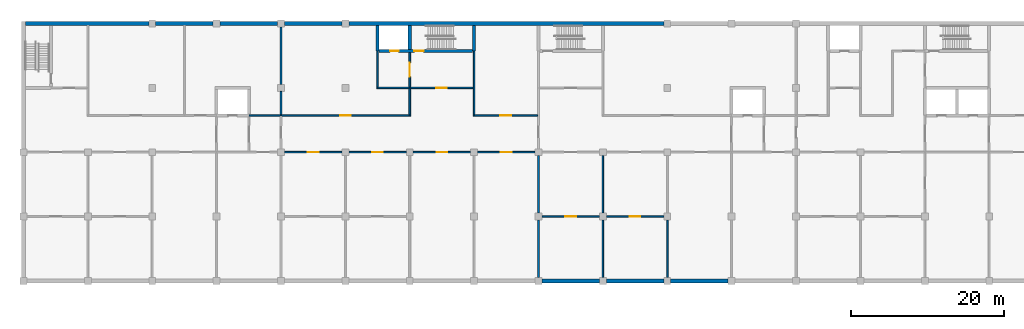
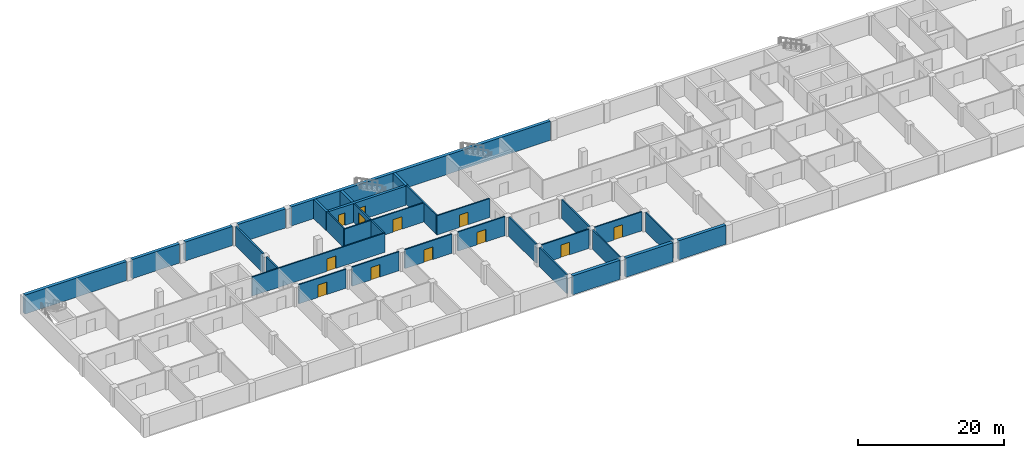
# One storey, part 3 of 12: 32 walls, 12 doors, 12 openings.
"""IFC4 building model written with IfcOpenShell, lengths in metres."""

import ifcopenshell
import ifcopenshell.guid

model = None  # the IFC model being written
_history = None  # IfcOwnerHistory: only IFC2X3 demands one
_inside = {}  # id of a spatial element -> (the spatial element, [elements in it])
_under = {}  # id of a project, library or spatial element -> (it, [spatial elements below it])
_declared = {}  # id of a project -> (the project, [libraries it declares])
_typed = {}  # id of a type object -> (the type object, [elements of that type])
_made_of = {}  # id of a material, layer set ... -> (it, [elements and type objects made of it])


def new_model(schema):
    """Start an empty IFC model of exactly this schema.

    Asked for "IFC4X3", IfcOpenShell would pick the latest addendum, in which some entities
    have other attributes; the version numbers below select the first issue.
    IFC2X3 requires an IfcOwnerHistory on every rooted entity: one is made here for all.
    """
    global model, _history
    if schema == "IFC4X3":
        model = ifcopenshell.file(schema_version=(4, 3, 0, 0))
    else:
        model = ifcopenshell.file(schema=schema)
    _inside.clear()
    _under.clear()
    _declared.clear()
    _typed.clear()
    _made_of.clear()
    _history = None
    if model.schema == "IFC2X3":
        org = make("IfcOrganization", Name="unknown")
        user = make(
            "IfcPersonAndOrganization",
            ThePerson=make("IfcPerson", FamilyName="unknown"),
            TheOrganization=org,
        )
        app = make(
            "IfcApplication",
            ApplicationDeveloper=org,
            Version="unknown",
            ApplicationFullName="unknown",
            ApplicationIdentifier="unknown",
        )
        _history = make(
            "IfcOwnerHistory",
            OwningUser=user,
            OwningApplication=app,
            ChangeAction="ADDED",
            CreationDate=0,
        )
    return model


def make(cls, **values):
    """One entity of the class cls with the attributes given. An attribute that is None is left unset."""
    return model.create_entity(
        cls, **{name: value for name, value in values.items() if value is not None}
    )


def rooted(cls, **values):
    """An entity with a GlobalId (a new one), such as an element, a storey or a relation."""
    return make(cls, GlobalId=ifcopenshell.guid.new(), OwnerHistory=_history, **values)


def si_unit(unit_type, name, prefix=None):
    """IfcSIUnit, for example si_unit("LENGTHUNIT", "METRE", prefix="MILLI")."""
    return make("IfcSIUnit", UnitType=unit_type, Prefix=prefix, Name=name)


def assignment(units):
    """IfcUnitAssignment: the units of a project."""
    return None if units is None else make("IfcUnitAssignment", Units=units)


def point(xyz):
    """IfcCartesianPoint."""
    return None if xyz is None else make("IfcCartesianPoint", Coordinates=xyz)


def direction(xyz):
    """IfcDirection."""
    return None if xyz is None else make("IfcDirection", DirectionRatios=xyz)


def frame(location, z_axis=None, x_axis=None):
    """IfcAxis2Placement3D, a coordinate frame: its origin and axes. An axis left out is left unset."""
    return make(
        "IfcAxis2Placement3D",
        Location=point(location),
        Axis=direction(z_axis),
        RefDirection=direction(x_axis),
    )


def frame_2d(location, x_axis=None):
    """IfcAxis2Placement2D, a coordinate frame in the plane: its origin and x axis."""
    return make(
        "IfcAxis2Placement2D", Location=point(location), RefDirection=direction(x_axis)
    )


def origin():
    """The frame at (0, 0, 0) with its axes left unset."""
    return frame((0.0, 0.0, 0.0))


def place(relative_to, where):
    """IfcLocalPlacement: puts the frame where relative to a parent placement (None: the world)."""
    return make(
        "IfcLocalPlacement", PlacementRelTo=relative_to, RelativePlacement=where
    )


def context(
    kind, dimensions, precision=None, world=None, true_north=None, identifier=None
):
    """IfcGeometricRepresentationContext, for example the 3D "Model" context."""
    return make(
        "IfcGeometricRepresentationContext",
        ContextIdentifier=identifier,
        ContextType=kind,
        CoordinateSpaceDimension=dimensions,
        Precision=precision,
        WorldCoordinateSystem=world,
        TrueNorth=true_north,
    )


def subcontext(parent, identifier, kind, view, scale=None):
    """IfcGeometricRepresentationSubContext, for example "Body" below "Model"."""
    return make(
        "IfcGeometricRepresentationSubContext",
        ContextIdentifier=identifier,
        ContextType=kind,
        ParentContext=parent,
        TargetScale=scale,
        TargetView=view,
    )


def project(units=None, contexts=None):
    """IfcProject with its units and contexts."""
    return rooted(
        "IfcProject",
        Name="project",
        RepresentationContexts=contexts,
        UnitsInContext=assignment(units),
    )


def spatial(cls, under=None, at=None, **own):
    """A site, building, storey or space (cls), placed at a placement, below another one or the project."""
    s = rooted(cls, ObjectPlacement=at, **own)
    if under is not None:
        _under.setdefault(under.id(), (under, []))[1].append(s)
    return s


def profile(cls, at=None, kind="AREA", **sizes):
    """A parametric profile (cls). Its sizes go by their IFC names, for example OverallWidth=200.0."""
    return make(cls, ProfileType=kind, Position=at, **sizes)


def rectangle(**sizes):
    """IfcRectangleProfileDef."""
    return profile("IfcRectangleProfileDef", **sizes)


def extrude(swept, where, along, depth):
    """IfcExtrudedAreaSolid: the profile swept, set in the frame where, extruded along a direction by depth."""
    return make(
        "IfcExtrudedAreaSolid",
        SweptArea=swept,
        Position=where,
        ExtrudedDirection=direction(along),
        Depth=depth,
    )


def shape(context_of_items, identifier, shape_type, items):
    """IfcShapeRepresentation: the items that make up one representation, for example the "Body"."""
    return make(
        "IfcShapeRepresentation",
        ContextOfItems=context_of_items,
        RepresentationIdentifier=identifier,
        RepresentationType=shape_type,
        Items=items,
    )


def material(Name=None, Category=None):
    """IfcMaterial."""
    return make("IfcMaterial", Name=Name, Category=Category)


def layer(
    of_material, thickness, ventilated=None, Name=None, Category=None, Priority=None
):
    """IfcMaterialLayer: one layer of a wall or slab, of a material (None: an air gap)."""
    return make(
        "IfcMaterialLayer",
        Material=of_material,
        LayerThickness=thickness,
        IsVentilated=ventilated,
        Name=Name,
        Category=Category,
        Priority=Priority,
    )


def layer_set(layers, Name=None):
    """IfcMaterialLayerSet."""
    return make("IfcMaterialLayerSet", MaterialLayers=layers, LayerSetName=Name)


def made_of(thing, what):
    """Note that an element or type object is made of a material, layer set ...; save() writes the relation."""
    if what is not None:
        _made_of.setdefault(what.id(), (what, []))[1].append(thing)
    return thing


def type_object(cls, material=None, **own):
    """A type object (cls), such as IfcWallType, which elements share."""
    return made_of(rooted(cls, **own), material)


def element(
    cls,
    number,
    at=None,
    inside=None,
    cuts=None,
    type_object=None,
    material=None,
    context=None,
    identifier="Body",
    shape_type=None,
    held_by="IfcProductDefinitionShape",
    body=None,
    shapes=None,
    **own,
):
    """One element of the class cls, such as IfcWall. Its Tag is "e" and its number.

    at: its placement. inside: the storey or other place that contains it. cuts: it is an
    opening in that element (IfcRelVoidsElement). A single representation is given by context,
    identifier, shape_type and body (its items); several are given by shapes. held_by: the class
    of the entity that holds the representations. save() writes the other relations.
    """
    e = rooted(cls, Tag="e%d" % number, ObjectPlacement=at, **own)
    if body is not None:
        shapes = [shape(context, identifier, shape_type, body)]
    if shapes is not None:
        e.Representation = make(held_by, Representations=shapes)
    if inside is not None:
        _inside.setdefault(inside.id(), (inside, []))[1].append(e)
    if cuts is not None:
        rooted(
            "IfcRelVoidsElement", RelatingBuildingElement=cuts, RelatedOpeningElement=e
        )
    if type_object is not None:
        _typed.setdefault(type_object.id(), (type_object, []))[1].append(e)
    return made_of(e, material)


def fill(opening, filler):
    """IfcRelFillsElement: the door or window that sits in an opening."""
    return rooted(
        "IfcRelFillsElement",
        RelatingOpeningElement=opening,
        RelatedBuildingElement=filler,
    )


def aggregate(whole, parts):
    """IfcRelAggregates: a whole, such as a stair, and the parts it consists of."""
    return rooted("IfcRelAggregates", RelatingObject=whole, RelatedObjects=parts)


def save(model, path):
    """Write the relations noted so far, then the file.

    IfcRelAggregates (storeys below a building ...), IfcRelContainedInSpatialStructure (elements
    in a storey), IfcRelDefinesByType, IfcRelAssociatesMaterial and IfcRelDeclares: one each for
    every whole, place, type object, material and project.
    """
    for whole, parts in _under.values():
        aggregate(whole, parts)
    for where, things in _inside.values():
        rooted(
            "IfcRelContainedInSpatialStructure",
            RelatedElements=things,
            RelatingStructure=where,
        )
    for kind, things in _typed.values():
        rooted("IfcRelDefinesByType", RelatedObjects=things, RelatingType=kind)
    for what, things in _made_of.values():
        rooted("IfcRelAssociatesMaterial", RelatedObjects=things, RelatingMaterial=what)
    for by, libraries in _declared.values():
        rooted("IfcRelDeclares", RelatingContext=by, RelatedDefinitions=libraries)
    model.write(path)


model = new_model("IFC4")

# Units and contexts
model_context = context("Model", 3, precision=1e-05, world=origin(), true_north=direction((0.0, 1.0)))
body_context = subcontext(model_context, "Body", "Model", "MODEL_VIEW")
ifc_project = project(units=[si_unit("LENGTHUNIT", "METRE"), si_unit("AREAUNIT", "SQUARE_METRE"), si_unit("VOLUMEUNIT", "CUBIC_METRE"), si_unit("PLANEANGLEUNIT", "RADIAN"), si_unit("MASSUNIT", "GRAM", prefix="KILO")], contexts=[model_context])

# Site, building, storey
site_placement = place(None, origin())
site = spatial("IfcSite", under=ifc_project, at=site_placement, CompositionType="ELEMENT")
building_placement = place(site_placement, origin())
building = spatial("IfcBuilding", under=site, at=building_placement, Name="Yavir Park General Hospital", CompositionType="ELEMENT")
storey_placement = place(building_placement, frame((0.0, 0.0, -11.39990234375)))
storey = spatial("IfcBuildingStorey", under=building, at=storey_placement, Name="B3", CompositionType="ELEMENT", Elevation=-11.39990234375)

# Walls
ifc_material_1 = material(Name="Concrete C30/37", Category="concrete")
ifc_layer_1 = layer(ifc_material_1, 0.25)
ifc_layer_set_1 = layer_set([ifc_layer_1], Name="Concrete C30/37")
wall_type_1 = type_object("IfcWallType", Name="Compartment fire wall 250, REI 150", PredefinedType="SOLIDWALL", material=ifc_layer_set_1)
wall_1_placement = place(storey_placement, frame((33.60009765625, 21.699951171875, 0.0), z_axis=(0.0, 0.0, 1.0), x_axis=(0.0, 1.0, 0.0)))
element("IfcWall", 1, at=wall_1_placement, inside=storey, type_object=wall_type_1, Name="FW25 B3-071", PredefinedType="SOLIDWALL", context=body_context, shape_type="SweptSolid", body=[
    extrude(rectangle(XDim=3.050048828125, YDim=0.25, at=frame_2d((1.52490234375, 0.0))), origin(), (0.0, 0.0, 1.0), 3.199951171875),
])
for number, where, z_axis, x_axis, name in (
    (2, (33.60009765625, 25.64990234375, 0.0), (0.0, 0.0, 1.0), (0.0, 1.0, 0.0), "FW25 B3-072"),
    (3, (67.199951171875, 0.449951171875, 0.0), (0.0, 0.0, 1.0), (0.0, 1.0, 0.0), "FW25 B3-086"),
    (4, (67.199951171875, 8.85009765625, 0.0), (0.0, 0.0, 1.0), (0.0, 1.0, 0.0), "FW25 B3-087"),
):
    element("IfcWall", number, at=place(storey_placement, frame(where, z_axis=z_axis, x_axis=x_axis)), inside=storey, type_object=wall_type_1, Name=name, PredefinedType="SOLIDWALL", context=body_context, shape_type="SweptSolid", body=[
        extrude(rectangle(XDim=7.5, YDim=0.25, at=frame_2d((3.75, 0.0))), origin(), (0.0, 0.0, 1.0), 3.199951171875),
    ])

# Wall, opening, door
ifc_material_2 = material(Name="Double gypsum board fire partition on steel studs", Category="steel")
ifc_layer_2 = layer(ifc_material_2, 0.199951171875)
ifc_layer_set_2 = layer_set([ifc_layer_2], Name="Double gypsum board fire partition on steel studs")
wall_type_2 = type_object("IfcWallType", Name="Fire-rated partition 200, EI 60", PredefinedType="PARTITIONING", material=ifc_layer_set_2)
wall_2_placement = place(storey_placement, frame((67.64990234375, 8.39990234375, 0.0), z_axis=(0.0, 0.0, 1.0), x_axis=(1.0, 0.0, 0.0)))
wall_2 = element("IfcWall", 5, at=wall_2_placement, inside=storey, type_object=wall_type_2, Name="FP20 B3-005", PredefinedType="PARTITIONING", context=body_context, shape_type="SweptSolid", body=[
    extrude(rectangle(XDim=7.5, YDim=0.199951171875, at=frame_2d((3.75, 0.0))), origin(), (0.0, 0.0, 1.0), 3.199951171875),
])
opening_1_placement = place(wall_2_placement, frame((3.050048828125, 0.0, 0.0)))
opening_1 = element("IfcOpeningElement", 6, at=opening_1_placement, cuts=wall_2, Name="Opening B3.D005", PredefinedType="OPENING", context=body_context, shape_type="SweptSolid", body=[
    extrude(rectangle(XDim=1.39990234375, YDim=2.10009765625, at=frame_2d((0.699951171875, 1.050048828125))), frame((0.0, 0.10986328125, 0.0), z_axis=(0.0, -1.0, 0.0), x_axis=(1.0, 0.0, 0.0)), (0.0, 0.0, 1.0), 0.219970703125),
])
ifc_material_3 = material(Name="Steel frame, fire-resisting timber leaves", Category="steel")
door_type_1 = type_object("IfcDoorType", Name="Double fire door 1400 x 2100, EI 60", OperationType="DOUBLE_DOOR_SINGLE_SWING", PredefinedType="DOOR", material=ifc_material_3)
door_1_placement = place(opening_1_placement, origin())
door_1 = element("IfcDoor", 7, at=door_1_placement, inside=storey, type_object=door_type_1, Name="B3.D005", OperationType="SINGLE_SWING_LEFT", OverallHeight=2.10009765625, OverallWidth=1.39990234375, PredefinedType="DOOR", context=body_context, shape_type="SweptSolid", body=[
    extrude(rectangle(XDim=1.39990234375, YDim=2.10009765625, at=frame_2d((0.699951171875, 1.050048828125))), frame((0.0, 0.02490234375, 0.0), z_axis=(0.0, -1.0, 0.0), x_axis=(1.0, 0.0, 0.0)), (0.0, 0.0, 1.0), 0.050048828125),
])
fill(opening_1, door_1)

wall_3_placement = place(storey_placement, frame((76.050048828125, 8.39990234375, 0.0), z_axis=(0.0, 0.0, 1.0), x_axis=(1.0, 0.0, 0.0)))
wall_3 = element("IfcWall", 8, at=wall_3_placement, inside=storey, type_object=wall_type_2, Name="FP20 B3-006", PredefinedType="PARTITIONING", context=body_context, shape_type="SweptSolid", body=[
    extrude(rectangle(XDim=7.5, YDim=0.199951171875, at=frame_2d((3.75, 0.0))), origin(), (0.0, 0.0, 1.0), 3.199951171875),
])
opening_2_placement = place(wall_3_placement, frame((3.050048828125, 0.0, 0.0)))
opening_2 = element("IfcOpeningElement", 9, at=opening_2_placement, cuts=wall_3, Name="Opening B3.D006", PredefinedType="OPENING", context=body_context, shape_type="SweptSolid", body=[
    extrude(rectangle(XDim=1.39990234375, YDim=2.10009765625, at=frame_2d((0.699951171875, 1.050048828125))), frame((0.0, 0.10986328125, 0.0), z_axis=(0.0, -1.0, 0.0), x_axis=(1.0, 0.0, 0.0)), (0.0, 0.0, 1.0), 0.219970703125),
])
door_2_placement = place(opening_2_placement, origin())
door_2 = element("IfcDoor", 10, at=door_2_placement, inside=storey, type_object=door_type_1, Name="B3.D006", OperationType="SINGLE_SWING_LEFT", OverallHeight=2.10009765625, OverallWidth=1.39990234375, PredefinedType="DOOR", context=body_context, shape_type="SweptSolid", body=[
    extrude(rectangle(XDim=1.39990234375, YDim=2.10009765625, at=frame_2d((0.699951171875, 1.050048828125))), frame((0.0, 0.02490234375, 0.0), z_axis=(0.0, -1.0, 0.0), x_axis=(1.0, 0.0, 0.0)), (0.0, 0.0, 1.0), 0.050048828125),
])
fill(opening_2, door_2)

wall_4_placement = place(storey_placement, frame((34.050048828125, 16.800048828125, 0.0), z_axis=(0.0, 0.0, 1.0), x_axis=(1.0, 0.0, 0.0)))
wall_4 = element("IfcWall", 11, at=wall_4_placement, inside=storey, type_object=wall_type_2, Name="FP20 B3-014", PredefinedType="PARTITIONING", context=body_context, shape_type="SweptSolid", body=[
    extrude(rectangle(XDim=7.5, YDim=0.199951171875, at=frame_2d((3.75, 0.0))), origin(), (0.0, 0.0, 1.0), 3.199951171875),
])
opening_3_placement = place(wall_4_placement, frame((3.050048828125, 0.0, 0.0)))
opening_3 = element("IfcOpeningElement", 12, at=opening_3_placement, cuts=wall_4, Name="Opening B3.D015", PredefinedType="OPENING", context=body_context, shape_type="SweptSolid", body=[
    extrude(rectangle(XDim=1.39990234375, YDim=2.10009765625, at=frame_2d((0.699951171875, 1.050048828125))), frame((0.0, 0.10986328125, 0.0), z_axis=(0.0, -1.0, 0.0), x_axis=(1.0, 0.0, 0.0)), (0.0, 0.0, 1.0), 0.219970703125),
])
door_3_placement = place(opening_3_placement, origin())
door_3 = element("IfcDoor", 13, at=door_3_placement, inside=storey, type_object=door_type_1, Name="B3.D015", OperationType="SINGLE_SWING_LEFT", OverallHeight=2.10009765625, OverallWidth=1.39990234375, PredefinedType="DOOR", context=body_context, shape_type="SweptSolid", body=[
    extrude(rectangle(XDim=1.39990234375, YDim=2.10009765625, at=frame_2d((0.699951171875, 1.050048828125))), frame((0.0, 0.02490234375, 0.0), z_axis=(0.0, -1.0, 0.0), x_axis=(1.0, 0.0, 0.0)), (0.0, 0.0, 1.0), 0.050048828125),
])
fill(opening_3, door_3)

wall_5_placement = place(storey_placement, frame((42.449951171875, 16.800048828125, 0.0), z_axis=(0.0, 0.0, 1.0), x_axis=(1.0, 0.0, 0.0)))
wall_5 = element("IfcWall", 14, at=wall_5_placement, inside=storey, type_object=wall_type_2, Name="FP20 B3-015", PredefinedType="PARTITIONING", context=body_context, shape_type="SweptSolid", body=[
    extrude(rectangle(XDim=7.5, YDim=0.199951171875, at=frame_2d((3.75, 0.0))), origin(), (0.0, 0.0, 1.0), 3.199951171875),
])
opening_4_placement = place(wall_5_placement, frame((3.050048828125, 0.0, 0.0)))
opening_4 = element("IfcOpeningElement", 15, at=opening_4_placement, cuts=wall_5, Name="Opening B3.D016", PredefinedType="OPENING", context=body_context, shape_type="SweptSolid", body=[
    extrude(rectangle(XDim=1.39990234375, YDim=2.10009765625, at=frame_2d((0.699951171875, 1.050048828125))), frame((0.0, 0.10986328125, 0.0), z_axis=(0.0, -1.0, 0.0), x_axis=(1.0, 0.0, 0.0)), (0.0, 0.0, 1.0), 0.219970703125),
])
door_4_placement = place(opening_4_placement, origin())
door_4 = element("IfcDoor", 16, at=door_4_placement, inside=storey, type_object=door_type_1, Name="B3.D016", OperationType="SINGLE_SWING_LEFT", OverallHeight=2.10009765625, OverallWidth=1.39990234375, PredefinedType="DOOR", context=body_context, shape_type="SweptSolid", body=[
    extrude(rectangle(XDim=1.39990234375, YDim=2.10009765625, at=frame_2d((0.699951171875, 1.050048828125))), frame((0.0, 0.02490234375, 0.0), z_axis=(0.0, -1.0, 0.0), x_axis=(1.0, 0.0, 0.0)), (0.0, 0.0, 1.0), 0.050048828125),
])
fill(opening_4, door_4)

wall_6_placement = place(storey_placement, frame((50.85009765625, 16.800048828125, 0.0), z_axis=(0.0, 0.0, 1.0), x_axis=(1.0, 0.0, 0.0)))
wall_6 = element("IfcWall", 17, at=wall_6_placement, inside=storey, type_object=wall_type_2, Name="FP20 B3-016", PredefinedType="PARTITIONING", context=body_context, shape_type="SweptSolid", body=[
    extrude(rectangle(XDim=7.5, YDim=0.199951171875, at=frame_2d((3.75, 0.0))), origin(), (0.0, 0.0, 1.0), 3.199951171875),
])
opening_5_placement = place(wall_6_placement, frame((3.050048828125, 0.0, 0.0)))
opening_5 = element("IfcOpeningElement", 18, at=opening_5_placement, cuts=wall_6, Name="Opening B3.D017", PredefinedType="OPENING", context=body_context, shape_type="SweptSolid", body=[
    extrude(rectangle(XDim=1.39990234375, YDim=2.10009765625, at=frame_2d((0.699951171875, 1.050048828125))), frame((0.0, 0.10986328125, 0.0), z_axis=(0.0, -1.0, 0.0), x_axis=(1.0, 0.0, 0.0)), (0.0, 0.0, 1.0), 0.219970703125),
])
door_5_placement = place(opening_5_placement, origin())
door_5 = element("IfcDoor", 19, at=door_5_placement, inside=storey, type_object=door_type_1, Name="B3.D017", OperationType="SINGLE_SWING_LEFT", OverallHeight=2.10009765625, OverallWidth=1.39990234375, PredefinedType="DOOR", context=body_context, shape_type="SweptSolid", body=[
    extrude(rectangle(XDim=1.39990234375, YDim=2.10009765625, at=frame_2d((0.699951171875, 1.050048828125))), frame((0.0, 0.02490234375, 0.0), z_axis=(0.0, -1.0, 0.0), x_axis=(1.0, 0.0, 0.0)), (0.0, 0.0, 1.0), 0.050048828125),
])
fill(opening_5, door_5)

wall_7_placement = place(storey_placement, frame((59.25, 16.800048828125, 0.0), z_axis=(0.0, 0.0, 1.0), x_axis=(1.0, 0.0, 0.0)))
wall_7 = element("IfcWall", 20, at=wall_7_placement, inside=storey, type_object=wall_type_2, Name="FP20 B3-017", PredefinedType="PARTITIONING", context=body_context, shape_type="SweptSolid", body=[
    extrude(rectangle(XDim=7.5, YDim=0.199951171875, at=frame_2d((3.75, 0.0))), origin(), (0.0, 0.0, 1.0), 3.199951171875),
])
opening_6_placement = place(wall_7_placement, frame((3.050048828125, 0.0, 0.0)))
opening_6 = element("IfcOpeningElement", 21, at=opening_6_placement, cuts=wall_7, Name="Opening B3.D018", PredefinedType="OPENING", context=body_context, shape_type="SweptSolid", body=[
    extrude(rectangle(XDim=1.39990234375, YDim=2.10009765625, at=frame_2d((0.699951171875, 1.050048828125))), frame((0.0, 0.10986328125, 0.0), z_axis=(0.0, -1.0, 0.0), x_axis=(1.0, 0.0, 0.0)), (0.0, 0.0, 1.0), 0.219970703125),
])
door_6_placement = place(opening_6_placement, origin())
door_6 = element("IfcDoor", 22, at=door_6_placement, inside=storey, type_object=door_type_1, Name="B3.D018", OperationType="SINGLE_SWING_LEFT", OverallHeight=2.10009765625, OverallWidth=1.39990234375, PredefinedType="DOOR", context=body_context, shape_type="SweptSolid", body=[
    extrude(rectangle(XDim=1.39990234375, YDim=2.10009765625, at=frame_2d((0.699951171875, 1.050048828125))), frame((0.0, 0.02490234375, 0.0), z_axis=(0.0, -1.0, 0.0), x_axis=(1.0, 0.0, 0.0)), (0.0, 0.0, 1.0), 0.050048828125),
])
fill(opening_6, door_6)

wall_8_placement = place(storey_placement, frame((29.39990234375, 21.60009765625, 0.0), z_axis=(0.0, 0.0, 1.0), x_axis=(1.0, 0.0, 0.0)))
wall_8 = element("IfcWall", 23, at=wall_8_placement, inside=storey, type_object=wall_type_2, Name="FP20 B3-029", PredefinedType="PARTITIONING", context=body_context, shape_type="SweptSolid", body=[
    extrude(rectangle(XDim=21.10009765625, YDim=0.199951171875, at=frame_2d((10.550048828125, 0.0))), origin(), (0.0, 0.0, 1.0), 3.199951171875),
])
opening_7_placement = place(wall_8_placement, frame((11.89990234375, 0.0, 0.0)))
opening_7 = element("IfcOpeningElement", 24, at=opening_7_placement, cuts=wall_8, Name="Opening B3.D033", PredefinedType="OPENING", context=body_context, shape_type="SweptSolid", body=[
    extrude(rectangle(XDim=1.39990234375, YDim=2.10009765625, at=frame_2d((0.699951171875, 1.050048828125))), frame((0.0, 0.10986328125, 0.0), z_axis=(0.0, -1.0, 0.0), x_axis=(1.0, 0.0, 0.0)), (0.0, 0.0, 1.0), 0.219970703125),
])
door_7_placement = place(opening_7_placement, origin())
door_7 = element("IfcDoor", 25, at=door_7_placement, inside=storey, type_object=door_type_1, Name="B3.D033", OperationType="SINGLE_SWING_RIGHT", OverallHeight=2.10009765625, OverallWidth=1.39990234375, PredefinedType="DOOR", context=body_context, shape_type="SweptSolid", body=[
    extrude(rectangle(XDim=1.39990234375, YDim=2.10009765625, at=frame_2d((0.699951171875, 1.050048828125))), frame((0.0, 0.02490234375, 0.0), z_axis=(0.0, -1.0, 0.0), x_axis=(1.0, 0.0, 0.0)), (0.0, 0.0, 1.0), 0.050048828125),
])
fill(opening_7, door_7)

wall_9_placement = place(storey_placement, frame((58.699951171875, 21.60009765625, 0.0), z_axis=(0.0, 0.0, 1.0), x_axis=(1.0, 0.0, 0.0)))
wall_9 = element("IfcWall", 26, at=wall_9_placement, inside=storey, type_object=wall_type_2, Name="FP20 B3-030", PredefinedType="PARTITIONING", context=body_context, shape_type="SweptSolid", body=[
    extrude(rectangle(XDim=8.375, YDim=0.199951171875, at=frame_2d((4.1875, 0.0))), origin(), (0.0, 0.0, 1.0), 3.199951171875),
])
opening_8_placement = place(wall_9_placement, frame((3.53759765625, 0.0, 0.0)))
opening_8 = element("IfcOpeningElement", 27, at=opening_8_placement, cuts=wall_9, Name="Opening B3.D034", PredefinedType="OPENING", context=body_context, shape_type="SweptSolid", body=[
    extrude(rectangle(XDim=1.39990234375, YDim=2.10009765625, at=frame_2d((0.699951171875, 1.050048828125))), frame((0.0, 0.10986328125, 0.0), z_axis=(0.0, -1.0, 0.0), x_axis=(1.0, 0.0, 0.0)), (0.0, 0.0, 1.0), 0.219970703125),
])
door_8_placement = place(opening_8_placement, origin())
door_8 = element("IfcDoor", 28, at=door_8_placement, inside=storey, type_object=door_type_1, Name="B3.D034", OperationType="SINGLE_SWING_RIGHT", OverallHeight=2.10009765625, OverallWidth=1.39990234375, PredefinedType="DOOR", context=body_context, shape_type="SweptSolid", body=[
    extrude(rectangle(XDim=1.39990234375, YDim=2.10009765625, at=frame_2d((0.699951171875, 1.050048828125))), frame((0.0, 0.02490234375, 0.0), z_axis=(0.0, -1.0, 0.0), x_axis=(1.0, 0.0, 0.0)), (0.0, 0.0, 1.0), 0.050048828125),
])
fill(opening_8, door_8)

wall_10_placement = place(storey_placement, frame((46.10009765625, 25.199951171875, 0.0), z_axis=(0.0, 0.0, 1.0), x_axis=(1.0, 0.0, 0.0)))
wall_10 = element("IfcWall", 29, at=wall_10_placement, inside=storey, type_object=wall_type_2, Name="FP20 B3-041", PredefinedType="PARTITIONING", context=body_context, shape_type="SweptSolid", body=[
    extrude(rectangle(XDim=12.599853515625, YDim=0.199951171875, at=frame_2d((6.2998046875, 0.0))), origin(), (0.0, 0.0, 1.0), 3.199951171875),
])
opening_9_placement = place(wall_10_placement, frame((7.75, 0.0, 0.0)))
opening_9 = element("IfcOpeningElement", 30, at=opening_9_placement, cuts=wall_10, Name="Opening B3.D044", PredefinedType="OPENING", context=body_context, shape_type="SweptSolid", body=[
    extrude(rectangle(XDim=1.39990234375, YDim=2.10009765625, at=frame_2d((0.699951171875, 1.050048828125))), frame((0.0, 0.10986328125, 0.0), z_axis=(0.0, -1.0, 0.0), x_axis=(1.0, 0.0, 0.0)), (0.0, 0.0, 1.0), 0.219970703125),
])
ifc_material_4 = material(Name="Steel frame, fire-resisting leaves with vision panels", Category="steel")
door_type_2 = type_object("IfcDoorType", Name="Double fire door with vision panels 1400 x 2100, EI 60", OperationType="DOUBLE_DOOR_SINGLE_SWING", PredefinedType="DOOR", material=ifc_material_4)
door_9_placement = place(opening_9_placement, origin())
door_9 = element("IfcDoor", 31, at=door_9_placement, inside=storey, type_object=door_type_2, Name="B3.D044", OperationType="SINGLE_SWING_RIGHT", OverallHeight=2.10009765625, OverallWidth=1.39990234375, PredefinedType="DOOR", context=body_context, shape_type="SweptSolid", body=[
    extrude(rectangle(XDim=1.39990234375, YDim=2.10009765625, at=frame_2d((0.699951171875, 1.050048828125))), frame((0.0, 0.030029296875, 0.0), z_axis=(0.0, -1.0, 0.0), x_axis=(1.0, 0.0, 0.0)), (0.0, 0.0, 1.0), 0.06005859375),
])
fill(opening_9, door_9)

# Walls
wall_11_placement = place(storey_placement, frame((46.199951171875, 25.300048828125, 0.0), z_axis=(0.0, 0.0, 1.0), x_axis=(0.0, 1.0, 0.0)))
element("IfcWall", 32, at=wall_11_placement, inside=storey, type_object=wall_type_2, Name="FP20 B3-075", PredefinedType="PARTITIONING", context=body_context, shape_type="SweptSolid", body=[
    extrude(rectangle(XDim=4.699951171875, YDim=0.199951171875, at=frame_2d((2.35009765625, 0.0))), origin(), (0.0, 0.0, 1.0), 3.199951171875),
])
wall_12_placement = place(storey_placement, frame((50.39990234375, 21.699951171875, 0.0), z_axis=(0.0, 0.0, 1.0), x_axis=(0.0, 1.0, 0.0)))
element("IfcWall", 33, at=wall_12_placement, inside=storey, type_object=wall_type_2, Name="FP20 B3-079", PredefinedType="PARTITIONING", context=body_context, shape_type="SweptSolid", body=[
    extrude(rectangle(XDim=3.400146484375, YDim=0.199951171875, at=frame_2d((1.7001953125, 0.0))), origin(), (0.0, 0.0, 1.0), 3.199951171875),
])

# Wall, opening, door
wall_13_placement = place(storey_placement, frame((50.39990234375, 25.300048828125, 0.0), z_axis=(0.0, 0.0, 1.0), x_axis=(0.0, 1.0, 0.0)))
wall_13 = element("IfcWall", 34, at=wall_13_placement, inside=storey, type_object=wall_type_2, Name="FP20 B3-080", PredefinedType="PARTITIONING", context=body_context, shape_type="SweptSolid", body=[
    extrude(rectangle(XDim=4.5, YDim=0.199951171875, at=frame_2d((2.25, 0.0))), origin(), (0.0, 0.0, 1.0), 3.199951171875),
])
opening_10_placement = place(wall_13_placement, frame((1.35009765625, 0.0, 0.0)))
opening_10 = element("IfcOpeningElement", 35, at=opening_10_placement, cuts=wall_13, Name="Opening B3.D060", PredefinedType="OPENING", context=body_context, shape_type="SweptSolid", body=[
    extrude(rectangle(XDim=1.800048828125, YDim=2.39990234375, at=frame_2d((0.89990234375, 1.199951171875))), frame((0.0, 0.10986328125, 0.0), z_axis=(0.0, -1.0, 0.0), x_axis=(1.0, 0.0, 0.0)), (0.0, 0.0, 1.0), 0.219970703125),
])
ifc_material_5 = material(Name="Steel frame, fire-resisting timber leaves", Category="steel")
door_type_3 = type_object("IfcDoorType", Name="Double fire door 1800 x 2400, EI 60", OperationType="DOUBLE_DOOR_SINGLE_SWING", PredefinedType="DOOR", material=ifc_material_5)
door_10_placement = place(opening_10_placement, origin())
door_10 = element("IfcDoor", 36, at=door_10_placement, inside=storey, type_object=door_type_3, Name="B3.D060", OperationType="SINGLE_SWING_LEFT", OverallHeight=2.39990234375, OverallWidth=1.800048828125, PredefinedType="DOOR", context=body_context, shape_type="SweptSolid", body=[
    extrude(rectangle(XDim=1.800048828125, YDim=2.39990234375, at=frame_2d((0.89990234375, 1.199951171875))), frame((0.0, 0.02490234375, 0.0), z_axis=(0.0, -1.0, 0.0), x_axis=(1.0, 0.0, 0.0)), (0.0, 0.0, 1.0), 0.050048828125),
])
fill(opening_10, door_10)

# Walls
wall_14_placement = place(storey_placement, frame((58.800048828125, 21.699951171875, 0.0), z_axis=(0.0, 0.0, 1.0), x_axis=(0.0, 1.0, 0.0)))
element("IfcWall", 37, at=wall_14_placement, inside=storey, type_object=wall_type_2, Name="FP20 B3-084", PredefinedType="PARTITIONING", context=body_context, shape_type="SweptSolid", body=[
    extrude(rectangle(XDim=8.300048828125, YDim=0.199951171875, at=frame_2d((4.14990234375, 0.0))), origin(), (0.0, 0.0, 1.0), 3.199951171875),
])
for number, where, z_axis, x_axis, name in (
    (38, (75.60009765625, 0.449951171875, 0.0), (0.0, 0.0, 1.0), (0.0, 1.0, 0.0), "FP20 B3-090"),
    (39, (75.60009765625, 8.85009765625, 0.0), (0.0, 0.0, 1.0), (0.0, 1.0, 0.0), "FP20 B3-091"),
    (40, (84.0, 0.449951171875, 0.0), (0.0, 0.0, 1.0), (0.0, 1.0, 0.0), "FP20 B3-094"),
):
    element("IfcWall", number, at=place(storey_placement, frame(where, z_axis=z_axis, x_axis=x_axis)), inside=storey, type_object=wall_type_2, Name=name, PredefinedType="PARTITIONING", context=body_context, shape_type="SweptSolid", body=[
        extrude(rectangle(XDim=7.5, YDim=0.199951171875, at=frame_2d((3.75, 0.0))), origin(), (0.0, 0.0, 1.0), 3.199951171875),
    ])
ifc_material_6 = material(Name="Concrete C35/45", Category="concrete")
ifc_layer_3 = layer(ifc_material_6, 0.5)
ifc_layer_set_3 = layer_set([ifc_layer_3], Name="Concrete C35/45")
wall_type_3 = type_object("IfcWallType", Name="RC WALL RETAINING 500", PredefinedType="SOLIDWALL", material=ifc_layer_set_3)
for number, where, z_axis, x_axis, name in (
    (41, (67.64990234375, 0.0, 0.0), (0.0, 0.0, 1.0), (1.0, 0.0, 0.0), "W:RET:B3:S8"),
    (42, (76.050048828125, 0.0, 0.0), (0.0, 0.0, 1.0), (1.0, 0.0, 0.0), "W:RET:B3:S9"),
    (43, (84.449951171875, 0.0, 0.0), (0.0, 0.0, 1.0), (1.0, 0.0, 0.0), "W:RET:B3:S10"),
):
    element("IfcWall", number, at=place(storey_placement, frame(where, z_axis=z_axis, x_axis=x_axis)), inside=storey, type_object=wall_type_3, Name=name, PredefinedType="SOLIDWALL", context=body_context, shape_type="SweptSolid", body=[
        extrude(rectangle(XDim=7.5, YDim=0.5, at=frame_2d((3.75, 0.0))), origin(), (0.0, 0.0, 1.0), 3.199951171875),
    ])
wall_15_placement = place(storey_placement, frame((0.25, 33.60009765625, 0.0), z_axis=(0.0, 0.0, 1.0), x_axis=(1.0, 0.0, 0.0)))
element("IfcWall", 44, at=wall_15_placement, inside=storey, type_object=wall_type_3, Name="W:RET:B3:N20", PredefinedType="SOLIDWALL", context=body_context, shape_type="SweptSolid", body=[
    extrude(rectangle(XDim=16.10009765625, YDim=0.5, at=frame_2d((8.050048828125, 0.0))), origin(), (0.0, 0.0, 1.0), 3.199951171875),
])
for number, where, z_axis, x_axis, name in (
    (45, (17.25, 33.60009765625, 0.0), (0.0, 0.0, 1.0), (1.0, 0.0, 0.0), "W:RET:B3:N21"),
    (46, (25.64990234375, 33.60009765625, 0.0), (0.0, 0.0, 1.0), (1.0, 0.0, 0.0), "W:RET:B3:N22"),
    (47, (34.050048828125, 33.60009765625, 0.0), (0.0, 0.0, 1.0), (1.0, 0.0, 0.0), "W:RET:B3:N23"),
):
    element("IfcWall", number, at=place(storey_placement, frame(where, z_axis=z_axis, x_axis=x_axis)), inside=storey, type_object=wall_type_3, Name=name, PredefinedType="SOLIDWALL", context=body_context, shape_type="SweptSolid", body=[
        extrude(rectangle(XDim=7.5, YDim=0.5, at=frame_2d((3.75, 0.0))), origin(), (0.0, 0.0, 1.0), 3.199951171875),
    ])
wall_16_placement = place(storey_placement, frame((42.449951171875, 33.60009765625, 0.0), z_axis=(0.0, 0.0, 1.0), x_axis=(1.0, 0.0, 0.0)))
element("IfcWall", 48, at=wall_16_placement, inside=storey, type_object=wall_type_3, Name="W:RET:B3:N24", PredefinedType="SOLIDWALL", context=body_context, shape_type="SweptSolid", body=[
    extrude(rectangle(XDim=41.10009765625, YDim=0.5, at=frame_2d((20.550048828125, 0.0))), origin(), (0.0, 0.0, 1.0), 3.199951171875),
])

# Wall, openings, doors
ifc_material_7 = material(Name="Concrete C35/45", Category="concrete")
ifc_layer_4 = layer(ifc_material_7, 0.39990234375)
ifc_layer_set_4 = layer_set([ifc_layer_4], Name="Concrete C35/45")
wall_type_4 = type_object("IfcWallType", Name="Reinforced concrete core wall 400, REI 150", PredefinedType="SHEAR", material=ifc_layer_set_4)
wall_17_placement = place(storey_placement, frame((46.39990234375, 30.0, 0.0), z_axis=(0.0, 0.0, 1.0), x_axis=(1.0, 0.0, 0.0)))
wall_17 = element("IfcWall", 49, at=wall_17_placement, inside=storey, type_object=wall_type_4, Name="CW40 B3-049", PredefinedType="SHEAR", context=body_context, shape_type="SweptSolid", body=[
    extrude(rectangle(XDim=12.2001953125, YDim=0.39990234375, at=frame_2d((6.10009765625, 0.0))), origin(), (0.0, 0.0, 1.0), 3.199951171875),
])
opening_11_placement = place(wall_17_placement, frame((1.449951171875, 0.0, 0.0)))
opening_11 = element("IfcOpeningElement", 50, at=opening_11_placement, cuts=wall_17, Name="Opening B3.D049", PredefinedType="OPENING", context=body_context, shape_type="SweptSolid", body=[
    extrude(rectangle(XDim=1.10009765625, YDim=2.10009765625, at=frame_2d((0.550048828125, 1.050048828125))), frame((0.0, 0.2099609375, 0.0), z_axis=(0.0, -1.0, 0.0), x_axis=(1.0, 0.0, 0.0)), (0.0, 0.0, 1.0), 0.419921875),
])
opening_12_placement = place(wall_17_placement, frame((4.60009765625, 0.0, 0.0)))
opening_12 = element("IfcOpeningElement", 51, at=opening_12_placement, cuts=wall_17, Name="Opening B3.D050", PredefinedType="OPENING", context=body_context, shape_type="SweptSolid", body=[
    extrude(rectangle(XDim=1.199951171875, YDim=2.10009765625, at=frame_2d((0.60009765625, 1.050048828125))), frame((0.0, 0.2099609375, 0.0), z_axis=(0.0, -1.0, 0.0), x_axis=(1.0, 0.0, 0.0)), (0.0, 0.0, 1.0), 0.419921875),
])
ifc_material_8 = material(Name="Steel frame, fire-resisting timber leaf", Category="steel")
door_type_4 = type_object("IfcDoorType", Name="Fire door 1200 x 2100, EI 60", OperationType="SINGLE_SWING_LEFT", PredefinedType="DOOR", material=ifc_material_8)
door_11_placement = place(opening_12_placement, origin())
door_11 = element("IfcDoor", 52, at=door_11_placement, inside=storey, type_object=door_type_4, Name="B3.D050", OperationType="SINGLE_SWING_RIGHT", OverallHeight=2.10009765625, OverallWidth=1.199951171875, PredefinedType="DOOR", context=body_context, shape_type="SweptSolid", body=[
    extrude(rectangle(XDim=1.199951171875, YDim=2.10009765625, at=frame_2d((0.60009765625, 1.050048828125))), frame((0.0, 0.02490234375, 0.0), z_axis=(0.0, -1.0, 0.0), x_axis=(1.0, 0.0, 0.0)), (0.0, 0.0, 1.0), 0.050048828125),
])
fill(opening_12, door_11)
ifc_material_9 = material(Name="Stainless steel landing door panels", Category="steel")
door_type_5 = type_object("IfcDoorType", Name="Lift landing door 1100 x 2100, EI 60", OperationType="SLIDING_TO_LEFT", PredefinedType="DOOR", material=ifc_material_9)
door_12_placement = place(opening_11_placement, origin())
door_12 = element("IfcDoor", 53, at=door_12_placement, inside=storey, type_object=door_type_5, Name="B3.D049", OperationType="SLIDING_TO_LEFT", OverallHeight=2.10009765625, OverallWidth=1.10009765625, PredefinedType="DOOR", context=body_context, shape_type="SweptSolid", body=[
    extrude(rectangle(XDim=1.10009765625, YDim=2.10009765625, at=frame_2d((0.550048828125, 1.050048828125))), frame((0.0, 0.02490234375, 0.0), z_axis=(0.0, -1.0, 0.0), x_axis=(1.0, 0.0, 0.0)), (0.0, 0.0, 1.0), 0.050048828125),
])
fill(opening_11, door_12)

# Walls
wall_18_placement = place(storey_placement, frame((46.199951171875, 30.0, 0.0), z_axis=(0.0, 0.0, 1.0), x_axis=(0.0, 1.0, 0.0)))
element("IfcWall", 54, at=wall_18_placement, inside=storey, type_object=wall_type_4, Name="CW40 B3-076", PredefinedType="SHEAR", context=body_context, shape_type="SweptSolid", body=[
    extrude(rectangle(XDim=3.35009765625, YDim=0.39990234375, at=frame_2d((1.675048828125, 0.0))), origin(), (0.0, 0.0, 1.0), 3.199951171875),
])
wall_19_placement = place(storey_placement, frame((50.39990234375, 30.199951171875, 0.0), z_axis=(0.0, 0.0, 1.0), x_axis=(0.0, 1.0, 0.0)))
element("IfcWall", 55, at=wall_19_placement, inside=storey, type_object=wall_type_4, Name="CW40 B3-081", PredefinedType="SHEAR", context=body_context, shape_type="SweptSolid", body=[
    extrude(rectangle(XDim=3.150146484375, YDim=0.39990234375, at=frame_2d((1.5751953125, 0.0))), origin(), (0.0, 0.0, 1.0), 3.199951171875),
])
wall_20_placement = place(storey_placement, frame((58.800048828125, 30.0, 0.0), z_axis=(0.0, 0.0, 1.0), x_axis=(0.0, 1.0, 0.0)))
element("IfcWall", 56, at=wall_20_placement, inside=storey, type_object=wall_type_4, Name="CW40 B3-085", PredefinedType="SHEAR", context=body_context, shape_type="SweptSolid", body=[
    extrude(rectangle(XDim=3.35009765625, YDim=0.39990234375, at=frame_2d((1.675048828125, 0.0))), origin(), (0.0, 0.0, 1.0), 3.199951171875),
])

save(model, "model.ifc")
